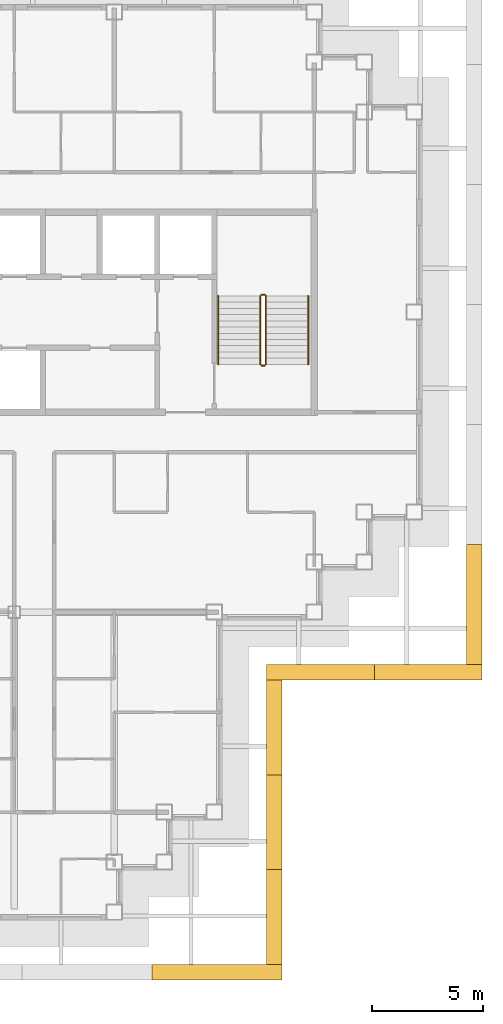
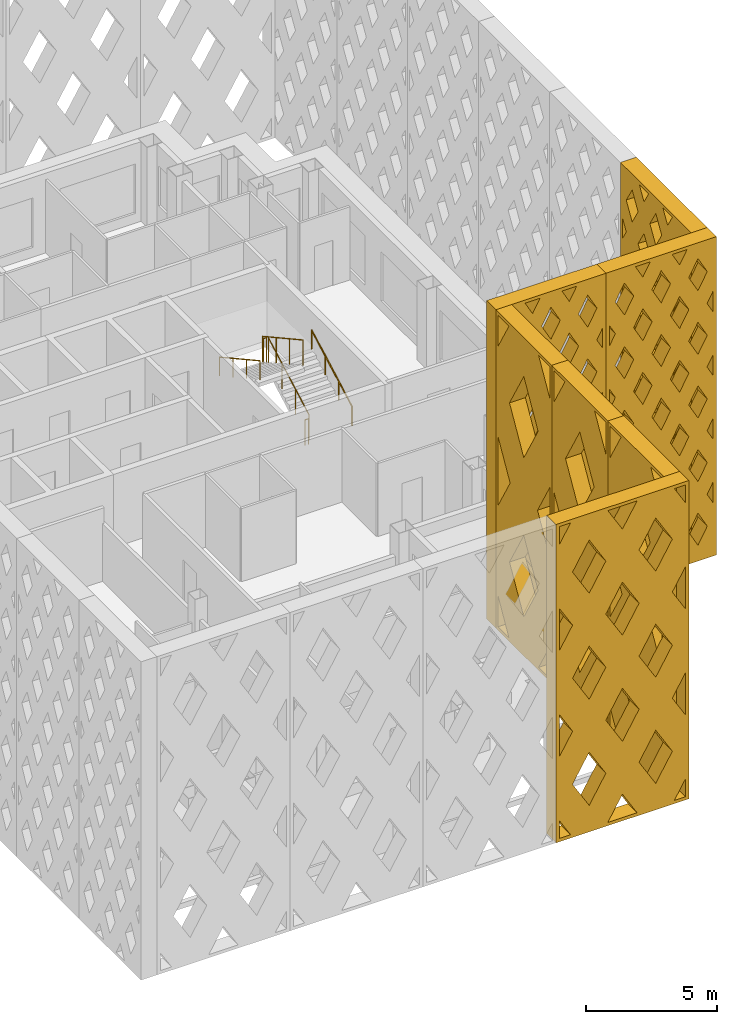
# One storey, part 14 of 17: 7 shading devices, 6 railings.
"""IFC4 building model written with IfcOpenShell, lengths in metres."""

from ifc_helpers import new_model, si_unit, direction, frame, origin, origin_2d, place, context, subcontext, project, spatial, polyline, circle, outline, extrude, material, type_object, element, save


model = new_model("IFC4")

# Units and contexts
model_context = context("Model", 3, precision=1e-05, world=origin(), true_north=direction((0.0, 1.0)))
body_context = subcontext(model_context, "Body", "Model", "MODEL_VIEW")
ifc_project = project(units=[si_unit("LENGTHUNIT", "METRE"), si_unit("AREAUNIT", "SQUARE_METRE"), si_unit("VOLUMEUNIT", "CUBIC_METRE"), si_unit("PLANEANGLEUNIT", "RADIAN"), si_unit("MASSUNIT", "GRAM", prefix="KILO")], contexts=[model_context])

# Site, building, storey
site_placement = place(None, origin())
site = spatial("IfcSite", under=ifc_project, at=site_placement, CompositionType="ELEMENT")
building_placement = place(site_placement, origin())
building = spatial("IfcBuilding", under=site, at=building_placement, Name="Caravel Reach Hotel and Residences", CompositionType="ELEMENT")
storey_placement = place(building_placement, frame((0.0, 0.0, 192.39990234375)))
storey = spatial("IfcBuildingStorey", under=building, at=storey_placement, Name="L48", CompositionType="ELEMENT", Elevation=192.39990234375)

# Shading devices
ifc_material_1 = material(Name="Black powder-coated aluminium", Category="aluminium")
shading_device_type_1 = type_object("IfcShadingDeviceType", Name="Diamond lattice screen panel 4267 x 14800", PredefinedType="USERDEFINED", material=ifc_material_1)
for number, where, z_axis, x_axis, name in (
    (1, (42.85009765625, -2.35009765625, 0.0), (1.0, 0.0, 0.0), (0.0, 1.0, 0.0), "Lattice screen L48-L51 1.1"),
    (2, (42.85009765625, 1.916748046875, 0.0), (1.0, 0.0, 0.0), (0.0, 1.0, 0.0), "Lattice screen L48-L51 1.2"),
    (3, (42.85009765625, 6.183349609375, 0.0), (1.0, 0.0, 0.0), (0.0, 1.0, 0.0), "Lattice screen L48-L51 1.3"),
):
    element("IfcShadingDevice", number, at=place(storey_placement, frame(where, z_axis=z_axis, x_axis=x_axis)), inside=storey, type_object=shading_device_type_1, Name=name, ObjectType="SCREEN", PredefinedType="USERDEFINED", context=body_context, shape_type="SweptSolid", body=[
        extrude(outline(polyline([(0.0, 0.0), (4.2666015625, 0.0), (4.2666015625, 14.800048828125), (0.0, 14.800048828125), (0.0, 0.0)]), holes=[polyline([(1.005615234375, 0.14990234375), (0.14990234375, 1.634033203125), (0.14990234375, 0.14990234375), (1.005615234375, 0.14990234375)]), polyline([(1.092041015625, 7.39990234375), (0.14990234375, 9.033935546875), (0.14990234375, 5.76611328125), (1.092041015625, 7.39990234375)]), polyline([(0.14990234375, 13.166015625), (1.005615234375, 14.64990234375), (0.14990234375, 14.64990234375), (0.14990234375, 13.166015625)]), polyline([(2.13330078125, 5.593994140625), (1.041259765625, 3.699951171875), (2.13330078125, 1.805908203125), (3.225341796875, 3.699951171875), (2.13330078125, 5.593994140625)]), polyline([(2.13330078125, 12.994140625), (1.041259765625, 11.10009765625), (2.13330078125, 9.205810546875), (3.225341796875, 11.10009765625), (2.13330078125, 12.994140625)]), polyline([(4.11669921875, 1.634033203125), (3.260986328125, 0.14990234375), (4.11669921875, 0.14990234375), (4.11669921875, 1.634033203125)]), polyline([(3.174560546875, 7.39990234375), (4.11669921875, 5.76611328125), (4.11669921875, 9.033935546875), (3.174560546875, 7.39990234375)]), polyline([(3.260986328125, 14.64990234375), (4.11669921875, 13.166015625), (4.11669921875, 14.64990234375), (3.260986328125, 14.64990234375)])]), origin(), (0.0, 0.0, 1.0), 0.699951171875),
    ])
ifc_material_2 = material(Name="Black powder-coated aluminium", Category="aluminium")
shading_device_type_2 = type_object("IfcShadingDeviceType", Name="Diamond lattice screen panel 4850 x 14800", PredefinedType="USERDEFINED", material=ifc_material_2)
shading_device_1_placement = place(storey_placement, frame((42.85009765625, 11.14990234375, 0.0), z_axis=(0.0, -1.0, 0.0), x_axis=(1.0, 0.0, 0.0)))
element("IfcShadingDevice", 4, at=shading_device_1_placement, inside=storey, type_object=shading_device_type_2, Name="Lattice screen L48-L51 2.1", ObjectType="SCREEN", PredefinedType="USERDEFINED", context=body_context, shape_type="SweptSolid", body=[
    extrude(outline(polyline([(0.0, 0.0), (4.85009765625, 0.0), (4.85009765625, 14.800048828125), (0.0, 14.800048828125), (0.0, 0.0)]), holes=[polyline([(0.408203125, 2.9599609375), (0.14990234375, 3.432861328125), (0.14990234375, 2.4873046875), (0.408203125, 2.9599609375)]), polyline([(0.408203125, 5.919921875), (0.14990234375, 6.392822265625), (0.14990234375, 5.447265625), (0.408203125, 5.919921875)]), polyline([(0.408203125, 8.8798828125), (0.14990234375, 9.352783203125), (0.14990234375, 8.4072265625), (0.408203125, 8.8798828125)]), polyline([(0.408203125, 11.840087890625), (0.14990234375, 12.312744140625), (0.14990234375, 11.3671875), (0.408203125, 11.840087890625)]), polyline([(0.808349609375, 2.2275390625), (0.400146484375, 1.47998046875), (0.808349609375, 0.732666015625), (1.216552734375, 1.47998046875), (0.808349609375, 2.2275390625)]), polyline([(0.808349609375, 5.1875), (0.400146484375, 4.43994140625), (0.808349609375, 3.692626953125), (1.216552734375, 4.43994140625), (0.808349609375, 5.1875)]), polyline([(0.808349609375, 8.1474609375), (0.400146484375, 7.39990234375), (0.808349609375, 6.652587890625), (1.216552734375, 7.39990234375), (0.808349609375, 8.1474609375)]), polyline([(0.808349609375, 11.107421875), (0.400146484375, 10.360107421875), (0.808349609375, 9.612548828125), (1.216552734375, 10.360107421875), (0.808349609375, 11.107421875)]), polyline([(0.808349609375, 14.0673828125), (0.400146484375, 13.320068359375), (0.808349609375, 12.572509765625), (1.216552734375, 13.320068359375), (0.808349609375, 14.0673828125)]), polyline([(1.61669921875, 0.747314453125), (1.290283203125, 0.14990234375), (1.94287109375, 0.14990234375), (1.61669921875, 0.747314453125)]), polyline([(1.61669921875, 3.70751953125), (1.20849609375, 2.9599609375), (1.61669921875, 2.212646484375), (2.02490234375, 2.9599609375), (1.61669921875, 3.70751953125)]), polyline([(1.61669921875, 6.66748046875), (1.20849609375, 5.919921875), (1.61669921875, 5.172607421875), (2.02490234375, 5.919921875), (1.61669921875, 6.66748046875)]), polyline([(1.61669921875, 9.62744140625), (1.20849609375, 8.8798828125), (1.61669921875, 8.132568359375), (2.02490234375, 8.8798828125), (1.61669921875, 9.62744140625)]), polyline([(1.61669921875, 12.58740234375), (1.20849609375, 11.840087890625), (1.61669921875, 11.092529296875), (2.02490234375, 11.840087890625), (1.61669921875, 12.58740234375)]), polyline([(1.61669921875, 14.052490234375), (1.94287109375, 14.64990234375), (1.290283203125, 14.64990234375), (1.61669921875, 14.052490234375)]), polyline([(2.425048828125, 2.2275390625), (2.016845703125, 1.47998046875), (2.425048828125, 0.732666015625), (2.833251953125, 1.47998046875), (2.425048828125, 2.2275390625)]), polyline([(2.425048828125, 5.1875), (2.016845703125, 4.43994140625), (2.425048828125, 3.692626953125), (2.833251953125, 4.43994140625), (2.425048828125, 5.1875)]), polyline([(2.425048828125, 8.1474609375), (2.016845703125, 7.39990234375), (2.425048828125, 6.652587890625), (2.833251953125, 7.39990234375), (2.425048828125, 8.1474609375)]), polyline([(2.425048828125, 11.107421875), (2.016845703125, 10.360107421875), (2.425048828125, 9.612548828125), (2.833251953125, 10.360107421875), (2.425048828125, 11.107421875)]), polyline([(2.425048828125, 14.0673828125), (2.016845703125, 13.320068359375), (2.425048828125, 12.572509765625), (2.833251953125, 13.320068359375), (2.425048828125, 14.0673828125)]), polyline([(3.2333984375, 0.747314453125), (2.906982421875, 0.14990234375), (3.5595703125, 0.14990234375), (3.2333984375, 0.747314453125)]), polyline([(3.2333984375, 3.70751953125), (2.8251953125, 2.9599609375), (3.2333984375, 2.212646484375), (3.6416015625, 2.9599609375), (3.2333984375, 3.70751953125)]), polyline([(3.2333984375, 6.66748046875), (2.8251953125, 5.919921875), (3.2333984375, 5.172607421875), (3.6416015625, 5.919921875), (3.2333984375, 6.66748046875)]), polyline([(3.2333984375, 9.62744140625), (2.8251953125, 8.8798828125), (3.2333984375, 8.132568359375), (3.6416015625, 8.8798828125), (3.2333984375, 9.62744140625)]), polyline([(3.2333984375, 12.58740234375), (2.8251953125, 11.840087890625), (3.2333984375, 11.092529296875), (3.6416015625, 11.840087890625), (3.2333984375, 12.58740234375)]), polyline([(3.2333984375, 14.052490234375), (3.5595703125, 14.64990234375), (2.906982421875, 14.64990234375), (3.2333984375, 14.052490234375)]), polyline([(4.041748046875, 2.2275390625), (3.633544921875, 1.47998046875), (4.041748046875, 0.732666015625), (4.449951171875, 1.47998046875), (4.041748046875, 2.2275390625)]), polyline([(4.041748046875, 5.1875), (3.633544921875, 4.43994140625), (4.041748046875, 3.692626953125), (4.449951171875, 4.43994140625), (4.041748046875, 5.1875)]), polyline([(4.041748046875, 8.1474609375), (3.633544921875, 7.39990234375), (4.041748046875, 6.652587890625), (4.449951171875, 7.39990234375), (4.041748046875, 8.1474609375)]), polyline([(4.041748046875, 11.107421875), (3.633544921875, 10.360107421875), (4.041748046875, 9.612548828125), (4.449951171875, 10.360107421875), (4.041748046875, 11.107421875)]), polyline([(4.041748046875, 14.0673828125), (3.633544921875, 13.320068359375), (4.041748046875, 12.572509765625), (4.449951171875, 13.320068359375), (4.041748046875, 14.0673828125)]), polyline([(4.44189453125, 2.9599609375), (4.699951171875, 2.4873046875), (4.699951171875, 3.432861328125), (4.44189453125, 2.9599609375)]), polyline([(4.44189453125, 5.919921875), (4.699951171875, 5.447265625), (4.699951171875, 6.392822265625), (4.44189453125, 5.919921875)]), polyline([(4.44189453125, 8.8798828125), (4.699951171875, 8.4072265625), (4.699951171875, 9.352783203125), (4.44189453125, 8.8798828125)]), polyline([(4.44189453125, 11.840087890625), (4.699951171875, 11.3671875), (4.699951171875, 12.312744140625), (4.44189453125, 11.840087890625)])]), origin(), (0.0, 0.0, 1.0), 0.699951171875),
])
shading_device_2_placement = place(storey_placement, frame((47.699951171875, 11.14990234375, 0.0), z_axis=(0.0, -1.0, 0.0), x_axis=(1.0, 0.0, 0.0)))
element("IfcShadingDevice", 5, at=shading_device_2_placement, inside=storey, type_object=shading_device_type_2, Name="Lattice screen L48-L51 2.2", ObjectType="SCREEN", PredefinedType="USERDEFINED", context=body_context, shape_type="SweptSolid", body=[
    extrude(outline(polyline([(0.0, 0.0), (4.85009765625, 0.0), (4.85009765625, 14.800048828125), (0.0, 14.800048828125), (0.0, 0.0)]), holes=[polyline([(0.408203125, 2.9599609375), (0.14990234375, 3.432861328125), (0.14990234375, 2.4873046875), (0.408203125, 2.9599609375)]), polyline([(0.408203125, 5.919921875), (0.14990234375, 6.392822265625), (0.14990234375, 5.447265625), (0.408203125, 5.919921875)]), polyline([(0.408203125, 8.8798828125), (0.14990234375, 9.352783203125), (0.14990234375, 8.4072265625), (0.408203125, 8.8798828125)]), polyline([(0.408203125, 11.840087890625), (0.14990234375, 12.312744140625), (0.14990234375, 11.3671875), (0.408203125, 11.840087890625)]), polyline([(0.808349609375, 2.2275390625), (0.400146484375, 1.47998046875), (0.808349609375, 0.732666015625), (1.216552734375, 1.47998046875), (0.808349609375, 2.2275390625)]), polyline([(0.808349609375, 5.1875), (0.400146484375, 4.43994140625), (0.808349609375, 3.692626953125), (1.216552734375, 4.43994140625), (0.808349609375, 5.1875)]), polyline([(0.808349609375, 8.1474609375), (0.400146484375, 7.39990234375), (0.808349609375, 6.652587890625), (1.216552734375, 7.39990234375), (0.808349609375, 8.1474609375)]), polyline([(0.808349609375, 11.107421875), (0.400146484375, 10.360107421875), (0.808349609375, 9.612548828125), (1.216552734375, 10.360107421875), (0.808349609375, 11.107421875)]), polyline([(0.808349609375, 14.0673828125), (0.400146484375, 13.320068359375), (0.808349609375, 12.572509765625), (1.216552734375, 13.320068359375), (0.808349609375, 14.0673828125)]), polyline([(1.61669921875, 0.747314453125), (1.290283203125, 0.14990234375), (1.94287109375, 0.14990234375), (1.61669921875, 0.747314453125)]), polyline([(1.61669921875, 3.70751953125), (1.20849609375, 2.9599609375), (1.61669921875, 2.212646484375), (2.02490234375, 2.9599609375), (1.61669921875, 3.70751953125)]), polyline([(1.61669921875, 6.66748046875), (1.20849609375, 5.919921875), (1.61669921875, 5.172607421875), (2.02490234375, 5.919921875), (1.61669921875, 6.66748046875)]), polyline([(1.61669921875, 9.62744140625), (1.20849609375, 8.8798828125), (1.61669921875, 8.132568359375), (2.02490234375, 8.8798828125), (1.61669921875, 9.62744140625)]), polyline([(1.61669921875, 12.58740234375), (1.20849609375, 11.840087890625), (1.61669921875, 11.092529296875), (2.02490234375, 11.840087890625), (1.61669921875, 12.58740234375)]), polyline([(1.61669921875, 14.052490234375), (1.94287109375, 14.64990234375), (1.290283203125, 14.64990234375), (1.61669921875, 14.052490234375)]), polyline([(2.425048828125, 2.2275390625), (2.016845703125, 1.47998046875), (2.425048828125, 0.732666015625), (2.833251953125, 1.47998046875), (2.425048828125, 2.2275390625)]), polyline([(2.425048828125, 5.1875), (2.016845703125, 4.43994140625), (2.425048828125, 3.692626953125), (2.833251953125, 4.43994140625), (2.425048828125, 5.1875)]), polyline([(2.425048828125, 8.1474609375), (2.016845703125, 7.39990234375), (2.425048828125, 6.652587890625), (2.833251953125, 7.39990234375), (2.425048828125, 8.1474609375)]), polyline([(2.425048828125, 11.107421875), (2.016845703125, 10.360107421875), (2.425048828125, 9.612548828125), (2.833251953125, 10.360107421875), (2.425048828125, 11.107421875)]), polyline([(2.425048828125, 14.0673828125), (2.016845703125, 13.320068359375), (2.425048828125, 12.572509765625), (2.833251953125, 13.320068359375), (2.425048828125, 14.0673828125)]), polyline([(3.2333984375, 0.747314453125), (2.906982421875, 0.14990234375), (3.5595703125, 0.14990234375), (3.2333984375, 0.747314453125)]), polyline([(3.2333984375, 3.70751953125), (2.8251953125, 2.9599609375), (3.2333984375, 2.212646484375), (3.6416015625, 2.9599609375), (3.2333984375, 3.70751953125)]), polyline([(3.2333984375, 6.66748046875), (2.8251953125, 5.919921875), (3.2333984375, 5.172607421875), (3.6416015625, 5.919921875), (3.2333984375, 6.66748046875)]), polyline([(3.2333984375, 9.62744140625), (2.8251953125, 8.8798828125), (3.2333984375, 8.132568359375), (3.6416015625, 8.8798828125), (3.2333984375, 9.62744140625)]), polyline([(3.2333984375, 12.58740234375), (2.8251953125, 11.840087890625), (3.2333984375, 11.092529296875), (3.6416015625, 11.840087890625), (3.2333984375, 12.58740234375)]), polyline([(3.2333984375, 14.052490234375), (3.5595703125, 14.64990234375), (2.906982421875, 14.64990234375), (3.2333984375, 14.052490234375)]), polyline([(4.041748046875, 2.2275390625), (3.633544921875, 1.47998046875), (4.041748046875, 0.732666015625), (4.449951171875, 1.47998046875), (4.041748046875, 2.2275390625)]), polyline([(4.041748046875, 5.1875), (3.633544921875, 4.43994140625), (4.041748046875, 3.692626953125), (4.449951171875, 4.43994140625), (4.041748046875, 5.1875)]), polyline([(4.041748046875, 8.1474609375), (3.633544921875, 7.39990234375), (4.041748046875, 6.652587890625), (4.449951171875, 7.39990234375), (4.041748046875, 8.1474609375)]), polyline([(4.041748046875, 11.107421875), (3.633544921875, 10.360107421875), (4.041748046875, 9.612548828125), (4.449951171875, 10.360107421875), (4.041748046875, 11.107421875)]), polyline([(4.041748046875, 14.0673828125), (3.633544921875, 13.320068359375), (4.041748046875, 12.572509765625), (4.449951171875, 13.320068359375), (4.041748046875, 14.0673828125)]), polyline([(4.44189453125, 2.9599609375), (4.699951171875, 2.4873046875), (4.699951171875, 3.432861328125), (4.44189453125, 2.9599609375)]), polyline([(4.44189453125, 5.919921875), (4.699951171875, 5.447265625), (4.699951171875, 6.392822265625), (4.44189453125, 5.919921875)]), polyline([(4.44189453125, 8.8798828125), (4.699951171875, 8.4072265625), (4.699951171875, 9.352783203125), (4.44189453125, 8.8798828125)]), polyline([(4.44189453125, 11.840087890625), (4.699951171875, 11.3671875), (4.699951171875, 12.312744140625), (4.44189453125, 11.840087890625)])]), origin(), (0.0, 0.0, 1.0), 0.699951171875),
])
ifc_material_3 = material(Name="Black powder-coated aluminium", Category="aluminium")
shading_device_type_3 = type_object("IfcShadingDeviceType", Name="Diamond lattice screen panel 5400 x 14800", PredefinedType="USERDEFINED", material=ifc_material_3)
shading_device_3_placement = place(storey_placement, frame((51.85009765625, 11.14990234375, 0.0), z_axis=(1.0, 0.0, 0.0), x_axis=(0.0, 1.0, 0.0)))
element("IfcShadingDevice", 6, at=shading_device_3_placement, inside=storey, type_object=shading_device_type_3, Name="Lattice screen L48-L51 3.1", ObjectType="SCREEN", PredefinedType="USERDEFINED", context=body_context, shape_type="SweptSolid", body=[
    extrude(outline(polyline([(0.0, 0.0), (5.39990234375, 0.0), (5.39990234375, 14.800048828125), (0.0, 14.800048828125), (0.0, 0.0)]), holes=[polyline([(0.452880859375, 2.9599609375), (0.14990234375, 3.4580078125), (0.14990234375, 2.4619140625), (0.452880859375, 2.9599609375)]), polyline([(0.452880859375, 5.919921875), (0.14990234375, 6.41796875), (0.14990234375, 5.421875), (0.452880859375, 5.919921875)]), polyline([(0.452880859375, 8.8798828125), (0.14990234375, 9.378173828125), (0.14990234375, 8.3818359375), (0.452880859375, 8.8798828125)]), polyline([(0.452880859375, 11.840087890625), (0.14990234375, 12.338134765625), (0.14990234375, 11.342041015625), (0.452880859375, 11.840087890625)]), polyline([(0.89990234375, 2.224853515625), (0.447021484375, 1.47998046875), (0.89990234375, 0.7353515625), (1.352783203125, 1.47998046875), (0.89990234375, 2.224853515625)]), polyline([(0.89990234375, 5.184814453125), (0.447021484375, 4.43994140625), (0.89990234375, 3.6953125), (1.352783203125, 4.43994140625), (0.89990234375, 5.184814453125)]), polyline([(0.89990234375, 8.144775390625), (0.447021484375, 7.39990234375), (0.89990234375, 6.6552734375), (1.352783203125, 7.39990234375), (0.89990234375, 8.144775390625)]), polyline([(0.89990234375, 11.104736328125), (0.447021484375, 10.360107421875), (0.89990234375, 9.615234375), (1.352783203125, 10.360107421875), (0.89990234375, 11.104736328125)]), polyline([(0.89990234375, 14.064697265625), (0.447021484375, 13.320068359375), (0.89990234375, 12.5751953125), (1.352783203125, 13.320068359375), (0.89990234375, 14.064697265625)]), polyline([(1.800048828125, 0.74462890625), (1.438232421875, 0.14990234375), (2.16162109375, 0.14990234375), (1.800048828125, 0.74462890625)]), polyline([(1.800048828125, 3.704833984375), (1.34716796875, 2.9599609375), (1.800048828125, 2.21533203125), (2.2529296875, 2.9599609375), (1.800048828125, 3.704833984375)]), polyline([(1.800048828125, 6.664794921875), (1.34716796875, 5.919921875), (1.800048828125, 5.17529296875), (2.2529296875, 5.919921875), (1.800048828125, 6.664794921875)]), polyline([(1.800048828125, 9.624755859375), (1.34716796875, 8.8798828125), (1.800048828125, 8.13525390625), (2.2529296875, 8.8798828125), (1.800048828125, 9.624755859375)]), polyline([(1.800048828125, 12.584716796875), (1.34716796875, 11.840087890625), (1.800048828125, 11.09521484375), (2.2529296875, 11.840087890625), (1.800048828125, 12.584716796875)]), polyline([(1.800048828125, 14.05517578125), (2.16162109375, 14.64990234375), (1.438232421875, 14.64990234375), (1.800048828125, 14.05517578125)]), polyline([(2.699951171875, 2.224853515625), (2.2470703125, 1.47998046875), (2.699951171875, 0.7353515625), (3.15283203125, 1.47998046875), (2.699951171875, 2.224853515625)]), polyline([(2.699951171875, 5.184814453125), (2.2470703125, 4.43994140625), (2.699951171875, 3.6953125), (3.15283203125, 4.43994140625), (2.699951171875, 5.184814453125)]), polyline([(2.699951171875, 8.144775390625), (2.2470703125, 7.39990234375), (2.699951171875, 6.6552734375), (3.15283203125, 7.39990234375), (2.699951171875, 8.144775390625)]), polyline([(2.699951171875, 11.104736328125), (2.2470703125, 10.360107421875), (2.699951171875, 9.615234375), (3.15283203125, 10.360107421875), (2.699951171875, 11.104736328125)]), polyline([(2.699951171875, 14.064697265625), (2.2470703125, 13.320068359375), (2.699951171875, 12.5751953125), (3.15283203125, 13.320068359375), (2.699951171875, 14.064697265625)]), polyline([(3.60009765625, 0.74462890625), (3.23828125, 0.14990234375), (3.961669921875, 0.14990234375), (3.60009765625, 0.74462890625)]), polyline([(3.60009765625, 3.704833984375), (3.147216796875, 2.9599609375), (3.60009765625, 2.21533203125), (4.052978515625, 2.9599609375), (3.60009765625, 3.704833984375)]), polyline([(3.60009765625, 6.664794921875), (3.147216796875, 5.919921875), (3.60009765625, 5.17529296875), (4.052978515625, 5.919921875), (3.60009765625, 6.664794921875)]), polyline([(3.60009765625, 9.624755859375), (3.147216796875, 8.8798828125), (3.60009765625, 8.13525390625), (4.052978515625, 8.8798828125), (3.60009765625, 9.624755859375)]), polyline([(3.60009765625, 12.584716796875), (3.147216796875, 11.840087890625), (3.60009765625, 11.09521484375), (4.052978515625, 11.840087890625), (3.60009765625, 12.584716796875)]), polyline([(3.60009765625, 14.05517578125), (3.961669921875, 14.64990234375), (3.23828125, 14.64990234375), (3.60009765625, 14.05517578125)]), polyline([(4.5, 2.224853515625), (4.047119140625, 1.47998046875), (4.5, 0.7353515625), (4.952880859375, 1.47998046875), (4.5, 2.224853515625)]), polyline([(4.5, 5.184814453125), (4.047119140625, 4.43994140625), (4.5, 3.6953125), (4.952880859375, 4.43994140625), (4.5, 5.184814453125)]), polyline([(4.5, 8.144775390625), (4.047119140625, 7.39990234375), (4.5, 6.6552734375), (4.952880859375, 7.39990234375), (4.5, 8.144775390625)]), polyline([(4.5, 11.104736328125), (4.047119140625, 10.360107421875), (4.5, 9.615234375), (4.952880859375, 10.360107421875), (4.5, 11.104736328125)]), polyline([(4.5, 14.064697265625), (4.047119140625, 13.320068359375), (4.5, 12.5751953125), (4.952880859375, 13.320068359375), (4.5, 14.064697265625)]), polyline([(4.947021484375, 2.9599609375), (5.25, 2.4619140625), (5.25, 3.4580078125), (4.947021484375, 2.9599609375)]), polyline([(4.947021484375, 5.919921875), (5.25, 5.421875), (5.25, 6.41796875), (4.947021484375, 5.919921875)]), polyline([(4.947021484375, 8.8798828125), (5.25, 8.3818359375), (5.25, 9.378173828125), (4.947021484375, 8.8798828125)]), polyline([(4.947021484375, 11.840087890625), (5.25, 11.342041015625), (5.25, 12.338134765625), (4.947021484375, 11.840087890625)])]), origin(), (0.0, 0.0, 1.0), 0.699951171875),
])
ifc_material_4 = material(Name="Black powder-coated aluminium", Category="aluminium")
shading_device_type_4 = type_object("IfcShadingDeviceType", Name="Diamond lattice screen panel 5850 x 14800", PredefinedType="USERDEFINED", material=ifc_material_4)
shading_device_4_placement = place(storey_placement, frame((37.699951171875, -2.35009765625, 0.0), z_axis=(0.0, -1.0, 0.0), x_axis=(1.0, 0.0, 0.0)))
element("IfcShadingDevice", 7, at=shading_device_4_placement, inside=storey, type_object=shading_device_type_4, Name="Lattice screen L48-L51 12.4", ObjectType="SCREEN", PredefinedType="USERDEFINED", context=body_context, shape_type="SweptSolid", body=[
    extrude(outline(polyline([(0.0, 0.0), (5.85009765625, 0.0), (5.85009765625, 14.800048828125), (0.0, 14.800048828125), (0.0, 0.0)]), holes=[polyline([(0.644775390625, 0.14990234375), (0.14990234375, 0.984375), (0.14990234375, 0.14990234375), (0.644775390625, 0.14990234375)]), polyline([(0.733642578125, 4.933349609375), (0.14990234375, 5.917724609375), (0.14990234375, 3.948974609375), (0.733642578125, 4.933349609375)]), polyline([(0.733642578125, 9.86669921875), (0.14990234375, 10.85107421875), (0.14990234375, 8.88232421875), (0.733642578125, 9.86669921875)]), polyline([(0.14990234375, 13.815673828125), (0.644775390625, 14.64990234375), (0.14990234375, 14.64990234375), (0.14990234375, 13.815673828125)]), polyline([(1.46240234375, 3.703857421875), (0.72900390625, 2.466552734375), (1.46240234375, 1.2294921875), (2.196044921875, 2.466552734375), (1.46240234375, 3.703857421875)]), polyline([(1.46240234375, 8.63720703125), (0.72900390625, 7.39990234375), (1.46240234375, 6.16259765625), (2.196044921875, 7.39990234375), (1.46240234375, 8.63720703125)]), polyline([(1.46240234375, 13.570556640625), (0.72900390625, 12.333251953125), (1.46240234375, 11.095947265625), (2.196044921875, 12.333251953125), (1.46240234375, 13.570556640625)]), polyline([(2.925048828125, 1.2373046875), (2.2802734375, 0.14990234375), (3.569580078125, 0.14990234375), (2.925048828125, 1.2373046875)]), polyline([(2.925048828125, 6.170654296875), (2.19140625, 4.933349609375), (2.925048828125, 3.696044921875), (3.65869140625, 4.933349609375), (2.925048828125, 6.170654296875)]), polyline([(2.925048828125, 11.10400390625), (2.19140625, 9.86669921875), (2.925048828125, 8.62939453125), (3.65869140625, 9.86669921875), (2.925048828125, 11.10400390625)]), polyline([(2.925048828125, 13.562744140625), (3.569580078125, 14.64990234375), (2.2802734375, 14.64990234375), (2.925048828125, 13.562744140625)]), polyline([(4.387451171875, 3.703857421875), (3.65380859375, 2.466552734375), (4.387451171875, 1.2294921875), (5.12109375, 2.466552734375), (4.387451171875, 3.703857421875)]), polyline([(4.387451171875, 8.63720703125), (3.65380859375, 7.39990234375), (4.387451171875, 6.16259765625), (5.12109375, 7.39990234375), (4.387451171875, 8.63720703125)]), polyline([(4.387451171875, 13.570556640625), (3.65380859375, 12.333251953125), (4.387451171875, 11.095947265625), (5.12109375, 12.333251953125), (4.387451171875, 13.570556640625)]), polyline([(5.699951171875, 0.984375), (5.205322265625, 0.14990234375), (5.699951171875, 0.14990234375), (5.699951171875, 0.984375)]), polyline([(5.116455078125, 4.933349609375), (5.699951171875, 3.948974609375), (5.699951171875, 5.917724609375), (5.116455078125, 4.933349609375)]), polyline([(5.116455078125, 9.86669921875), (5.699951171875, 8.88232421875), (5.699951171875, 10.85107421875), (5.116455078125, 9.86669921875)]), polyline([(5.205322265625, 14.64990234375), (5.699951171875, 13.815673828125), (5.699951171875, 14.64990234375), (5.205322265625, 14.64990234375)])]), origin(), (0.0, 0.0, 1.0), 0.699951171875),
])

# Railings
ifc_material_5 = material(Name="Steel balustrade with glass infill", Category="steel")
railing_type_1 = type_object("IfcRailingType", Name="Guard 1200", PredefinedType="GUARDRAIL", material=ifc_material_5)
railing_1_placement = place(storey_placement, frame((42.824951171875, 24.64990234375, 0.154296875)))
element("IfcRailing", 8, at=railing_1_placement, inside=storey, type_object=railing_type_1, Name="L48 ST-B stair guard 1", PredefinedType="GUARDRAIL", context=body_context, shape_type="SweptSolid", body=[
    extrude(circle(Radius=0.02392578125, at=origin_2d()), frame((0.0, 0.0, 1.17578125), z_axis=(0.0, 0.876004717809, 0.482302534076), x_axis=(-1.0, 0.0, 0.0)), (0.0, 0.0, 1.0), 3.51611328125),
    extrude(circle(Radius=0.02099609375, at=origin_2d()), origin(), (0.0, 0.0, 1.0), 1.15185546875),
    extrude(circle(Radius=0.02099609375, at=origin_2d()), frame((0.0, 1.026611328125, 0.565185546875)), (0.0, 0.0, 1.0), 1.15185546875),
    extrude(circle(Radius=0.02099609375, at=origin_2d()), frame((0.0, 2.053466796875, 1.130615234375)), (0.0, 0.0, 1.0), 1.15185546875),
    extrude(circle(Radius=0.02099609375, at=origin_2d()), frame((0.0, 3.080078125, 1.69580078125)), (0.0, 0.0, 1.0), 1.15185546875),
])
railing_2_placement = place(storey_placement, frame((42.77490234375, 27.780029296875, 1.85009765625)))
element("IfcRailing", 9, at=railing_2_placement, inside=storey, type_object=railing_type_1, Name="L48 ST-B stair guard 2", PredefinedType="GUARDRAIL", context=body_context, shape_type="SweptSolid", body=[
    extrude(circle(Radius=0.02392578125, at=origin_2d()), frame((0.0, 0.0, 1.17578125), z_axis=(-1.0, 0.0, 0.0), x_axis=(0.0, -1.0, 0.0)), (0.0, 0.0, 1.0), 0.14990234375),
    extrude(circle(Radius=0.02099609375, at=origin_2d()), origin(), (0.0, 0.0, 1.0), 1.15185546875),
    extrude(circle(Radius=0.02099609375, at=origin_2d()), frame((-0.14990234375, 0.0, 0.0)), (0.0, 0.0, 1.0), 1.15185546875),
])
railing_3_placement = place(storey_placement, frame((42.574951171875, 27.72998046875, 2.004150390625)))
element("IfcRailing", 10, at=railing_3_placement, inside=storey, type_object=railing_type_1, Name="L48 ST-B stair guard 3", PredefinedType="GUARDRAIL", context=body_context, shape_type="SweptSolid", body=[
    extrude(circle(Radius=0.02392578125, at=origin_2d()), frame((0.0, 0.0, 1.17578125), z_axis=(0.0, -0.875975380505, 0.482355815502), x_axis=(1.0, 0.0, 0.0)), (0.0, 0.0, 1.0), 3.51611328125),
    extrude(circle(Radius=0.02099609375, at=origin_2d()), origin(), (0.0, 0.0, 1.0), 1.15185546875),
    extrude(circle(Radius=0.02099609375, at=origin_2d()), frame((0.0, -1.026611328125, 0.5654296875)), (0.0, 0.0, 1.0), 1.15185546875),
    extrude(circle(Radius=0.02099609375, at=origin_2d()), frame((0.0, -2.053466796875, 1.130615234375)), (0.0, 0.0, 1.0), 1.15185546875),
    extrude(circle(Radius=0.02099609375, at=origin_2d()), frame((0.0, -3.080078125, 1.696044921875)), (0.0, 0.0, 1.0), 1.15185546875),
])
railing_4_placement = place(storey_placement, frame((42.77490234375, 24.60009765625, 0.0)))
element("IfcRailing", 11, at=railing_4_placement, inside=storey, type_object=railing_type_1, Name="L48 ST-B stair guard 4", PredefinedType="GUARDRAIL", context=body_context, shape_type="SweptSolid", body=[
    extrude(circle(Radius=0.02392578125, at=origin_2d()), frame((0.0, 0.0, 1.17578125), z_axis=(-1.0, 0.0, 0.0), x_axis=(0.0, -1.0, 0.0)), (0.0, 0.0, 1.0), 0.14990234375),
    extrude(circle(Radius=0.02099609375, at=origin_2d()), origin(), (0.0, 0.0, 1.0), 1.15185546875),
    extrude(circle(Radius=0.02099609375, at=origin_2d()), frame((-0.14990234375, 0.0, 0.0)), (0.0, 0.0, 1.0), 1.15185546875),
])
ifc_material_6 = material(Name="Stainless steel handrail", Category="steel")
railing_type_2 = type_object("IfcRailingType", Name="Handrail 900", PredefinedType="HANDRAIL", material=ifc_material_6)
railing_5_placement = place(storey_placement, frame((44.72509765625, 24.64990234375, 0.154296875)))
element("IfcRailing", 12, at=railing_5_placement, inside=storey, type_object=railing_type_2, Name="L48 ST-B stair handrail 1", PredefinedType="HANDRAIL", context=body_context, shape_type="SweptSolid", body=[
    extrude(circle(Radius=0.02392578125, at=origin_2d()), frame((0.0, 0.0, 0.8759765625), z_axis=(0.0, 0.876004717809, 0.482302534076), x_axis=(-1.0, 0.0, 0.0)), (0.0, 0.0, 1.0), 3.51611328125),
    extrude(circle(Radius=0.02099609375, at=origin_2d()), origin(), (0.0, 0.0, 1.0), 0.851806640625),
    extrude(circle(Radius=0.02099609375, at=origin_2d()), frame((0.0, 1.026611328125, 0.565185546875)), (0.0, 0.0, 1.0), 0.851806640625),
    extrude(circle(Radius=0.02099609375, at=origin_2d()), frame((0.0, 2.053466796875, 1.130615234375)), (0.0, 0.0, 1.0), 0.851806640625),
    extrude(circle(Radius=0.02099609375, at=origin_2d()), frame((0.0, 3.080078125, 1.69580078125)), (0.0, 0.0, 1.0), 0.851806640625),
])
railing_6_placement = place(storey_placement, frame((40.675048828125, 27.72998046875, 2.004150390625)))
element("IfcRailing", 13, at=railing_6_placement, inside=storey, type_object=railing_type_2, Name="L48 ST-B stair handrail 2", PredefinedType="HANDRAIL", context=body_context, shape_type="SweptSolid", body=[
    extrude(circle(Radius=0.02392578125, at=origin_2d()), frame((0.0, 0.0, 0.8759765625), z_axis=(0.0, -0.875975380505, 0.482355815502), x_axis=(1.0, 0.0, 0.0)), (0.0, 0.0, 1.0), 3.51611328125),
    extrude(circle(Radius=0.02099609375, at=origin_2d()), origin(), (0.0, 0.0, 1.0), 0.851806640625),
    extrude(circle(Radius=0.02099609375, at=origin_2d()), frame((0.0, -1.026611328125, 0.5654296875)), (0.0, 0.0, 1.0), 0.851806640625),
    extrude(circle(Radius=0.02099609375, at=origin_2d()), frame((0.0, -2.053466796875, 1.130615234375)), (0.0, 0.0, 1.0), 0.851806640625),
    extrude(circle(Radius=0.02099609375, at=origin_2d()), frame((0.0, -3.080078125, 1.696044921875)), (0.0, 0.0, 1.0), 0.851806640625),
])

save(model, "model.ifc")
